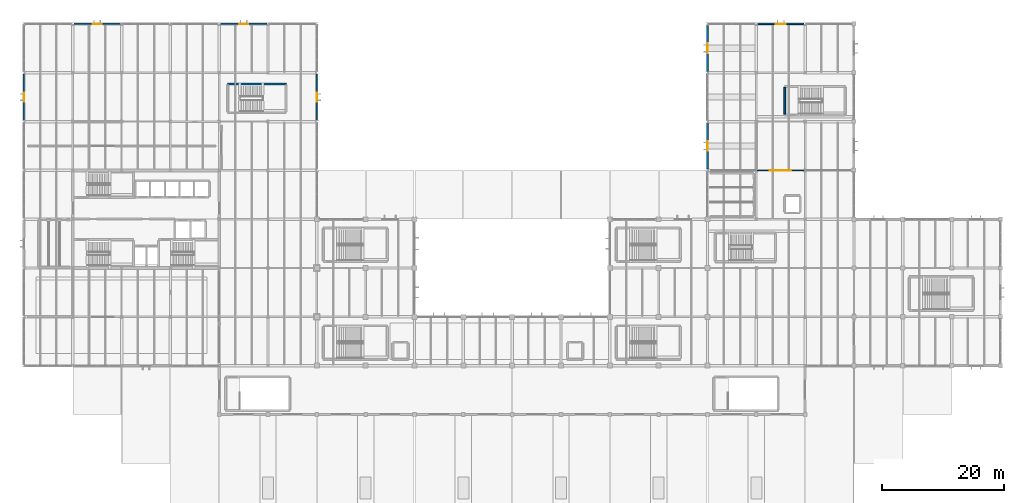
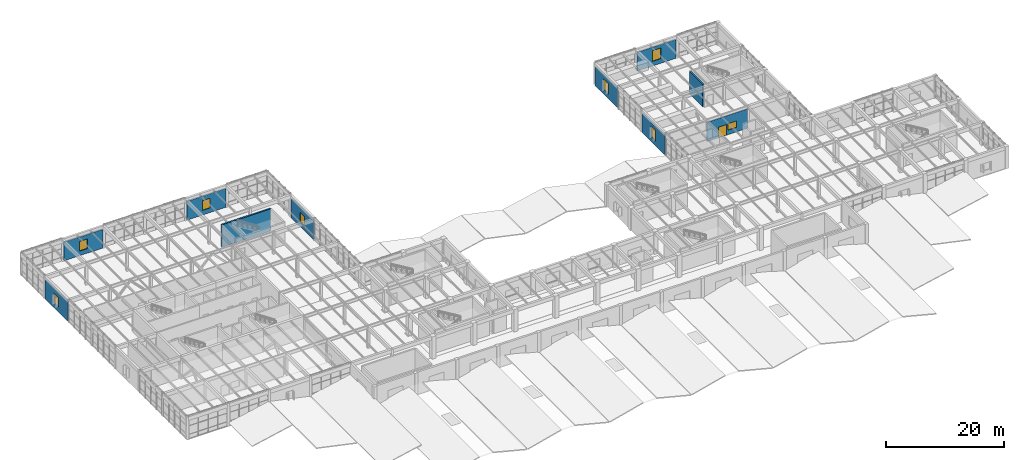
# One storey, part 46 of 60: 10 walls, 8 windows, 1 door, 9 openings.
"""IFC4 building model written with IfcOpenShell, lengths in metres."""

from ifc_helpers import new_model, si_unit, direction, frame, frame_2d, origin, place, context, subcontext, project, spatial, rectangle, extrude, material, layer, layer_set, type_object, element, fill, save


model = new_model("IFC4")

# Units and contexts
model_context = context("Model", 3, precision=1e-05, world=origin(), true_north=direction((0.0, 1.0)))
body_context = subcontext(model_context, "Body", "Model", "MODEL_VIEW")
ifc_project = project(units=[si_unit("LENGTHUNIT", "METRE"), si_unit("AREAUNIT", "SQUARE_METRE"), si_unit("VOLUMEUNIT", "CUBIC_METRE"), si_unit("PLANEANGLEUNIT", "RADIAN"), si_unit("MASSUNIT", "GRAM", prefix="KILO")], contexts=[model_context])

# Site, building, storey
site_placement = place(None, origin())
site = spatial("IfcSite", under=ifc_project, at=site_placement, CompositionType="ELEMENT")
building_placement = place(site_placement, origin())
building = spatial("IfcBuilding", under=site, at=building_placement, Name="Varnela Railside Interchange", CompositionType="ELEMENT")
storey_placement = place(building_placement, frame((0.0, 0.0, 6.300048828125)))
storey = spatial("IfcBuildingStorey", under=building, at=storey_placement, Name="L01", CompositionType="ELEMENT", Elevation=6.300048828125)

# Wall, openings, door, window
ifc_material_1 = material(Name="Glass laminated double", Category="glass")
ifc_layer_1 = layer(ifc_material_1, 0.1201171875)
ifc_layer_set_1 = layer_set([ifc_layer_1], Name="Glass laminated double")
wall_type_1 = type_object("IfcWallType", Name="Glazed Operations Partition IW-03", PredefinedType="PARTITIONING", material=ifc_layer_set_1)
wall_1_placement = place(storey_placement, frame((124.0, 70.0, 0.0), z_axis=(0.0, 0.0, 1.0), x_axis=(1.0, 0.0, 0.0)))
wall_1 = element("IfcWall", 1, at=wall_1_placement, inside=storey, type_object=wall_type_1, Name="Glazed Operations Partition IW-03 (L01) (WL-0561)", PredefinedType="PARTITIONING", context=body_context, shape_type="SweptSolid", body=[
    extrude(rectangle(XDim=8.0, YDim=0.1201171875, at=frame_2d((4.0, 0.0))), origin(), (0.0, 0.0, 1.0), 3.988037109375),
])
opening_1_placement = place(wall_1_placement, frame((2.199951171875, 0.0, 0.0)))
opening_1 = element("IfcOpeningElement", 2, at=opening_1_placement, cuts=wall_1, Name="Opening D-203", PredefinedType="OPENING", context=body_context, shape_type="SweptSolid", body=[
    extrude(rectangle(XDim=1.60009765625, YDim=2.199951171875, at=frame_2d((0.800048828125, 1.10009765625))), frame((0.0, 0.070068359375, 0.0), z_axis=(0.0, -1.0, 0.0), x_axis=(1.0, 0.0, 0.0)), (0.0, 0.0, 1.0), 0.14013671875),
])
opening_2_placement = place(wall_1_placement, frame((4.14990234375, 0.0, 0.949951171875)))
opening_2 = element("IfcOpeningElement", 3, at=opening_2_placement, cuts=wall_1, Name="Opening IW-006", PredefinedType="OPENING", context=body_context, shape_type="SweptSolid", body=[
    extrude(rectangle(XDim=1.60009765625, YDim=1.300048828125, at=frame_2d((0.800048828125, 0.64990234375))), frame((0.0, 0.070068359375, 0.0), z_axis=(0.0, -1.0, 0.0), x_axis=(1.0, 0.0, 0.0)), (0.0, 0.0, 1.0), 0.14013671875),
])
door_type = type_object("IfcDoorType", Name="DR-DBL-1600", OperationType="DOUBLE_DOOR_SINGLE_SWING", PredefinedType="DOOR", material=ifc_material_1)
door_placement = place(opening_1_placement, origin())
door = element("IfcDoor", 4, at=door_placement, inside=storey, type_object=door_type, Name="Door D-203", OperationType="DOUBLE_DOOR_SINGLE_SWING", OverallHeight=2.199951171875, OverallWidth=1.60009765625, PredefinedType="DOOR", context=body_context, shape_type="SweptSolid", body=[
    extrude(rectangle(XDim=1.60009765625, YDim=2.199951171875, at=frame_2d((0.800048828125, 1.10009765625))), frame((0.0, 0.02490234375, 0.0), z_axis=(0.0, -1.0, 0.0), x_axis=(1.0, 0.0, 0.0)), (0.0, 0.0, 1.0), 0.050048828125),
])
fill(opening_1, door)
window_type_1 = type_object("IfcWindowType", Name="Interior Acoustic Vision Window IW-WN1", PartitioningType="SINGLE_PANEL", PredefinedType="WINDOW", material=ifc_material_1)
window_1_placement = place(opening_2_placement, origin())
window_1 = element("IfcWindow", 5, at=window_1_placement, inside=storey, type_object=window_type_1, Name="Window IW-006", OverallHeight=1.300048828125, OverallWidth=1.60009765625, PartitioningType="SINGLE_PANEL", PredefinedType="WINDOW", context=body_context, shape_type="SweptSolid", body=[
    extrude(rectangle(XDim=1.60009765625, YDim=1.300048828125, at=frame_2d((0.800048828125, 0.64990234375))), frame((0.0, 0.030029296875, 0.0), z_axis=(0.0, -1.0, 0.0), x_axis=(1.0, 0.0, 0.0)), (0.0, 0.0, 1.0), 0.06005859375),
])
fill(opening_2, window_1)

# Wall, opening, window
ifc_material_2 = material(Name="Concrete C40 precast", Category="concrete")
ifc_layer_2 = layer(ifc_material_2, 0.280029296875)
ifc_layer_set_2 = layer_set([ifc_layer_2], Name="Concrete C40 precast")
wall_type_2 = type_object("IfcWallType", Name="Ribbed Precast Concrete Facade Wall EW-02", PredefinedType="STANDARD", material=ifc_layer_set_2)
wall_2_placement = place(storey_placement, frame((4.0, 78.193603515625, 0.0), z_axis=(0.0, 0.0, 1.0), x_axis=(0.0, 1.0, 0.0)))
wall_2 = element("IfcWall", 6, at=wall_2_placement, inside=storey, type_object=wall_type_2, Name="Ribbed Precast Concrete Facade Wall EW-02 (L01) (WL-0544)", PredefinedType="STANDARD", context=body_context, shape_type="SweptSolid", body=[
    extrude(rectangle(XDim=7.61279296875, YDim=0.280029296875, at=frame_2d((3.806396484375, 0.0))), origin(), (0.0, 0.0, 1.0), 3.849853515625),
])
opening_3_placement = place(wall_2_placement, frame((3.056396484375, 0.0, 0.949951171875)))
opening_3 = element("IfcOpeningElement", 7, at=opening_3_placement, cuts=wall_2, Name="Opening W-023", PredefinedType="OPENING", context=body_context, shape_type="SweptSolid", body=[
    extrude(rectangle(XDim=1.5, YDim=2.0, at=frame_2d((0.75, 1.0))), frame((0.0, 0.14990234375, 0.0), z_axis=(0.0, -1.0, 0.0), x_axis=(1.0, 0.0, 0.0)), (0.0, 0.0, 1.0), 0.300048828125),
])
window_type_2 = type_object("IfcWindowType", Name="Operations Modular Window WN-04", PartitioningType="SINGLE_PANEL", PredefinedType="WINDOW", material=ifc_material_1)
window_2_placement = place(opening_3_placement, origin())
window_2 = element("IfcWindow", 8, at=window_2_placement, inside=storey, type_object=window_type_2, Name="Window W-023", OverallHeight=2.0, OverallWidth=1.5, PartitioningType="SINGLE_PANEL", PredefinedType="WINDOW", context=body_context, shape_type="SweptSolid", body=[
    extrude(rectangle(XDim=1.5, YDim=2.0, at=frame_2d((0.75, 1.0))), frame((0.0, 0.030029296875, 0.0), z_axis=(0.0, -1.0, 0.0), x_axis=(1.0, 0.0, 0.0)), (0.0, 0.0, 1.0), 0.06005859375),
])
fill(opening_3, window_2)

wall_3_placement = place(storey_placement, frame((12.198974609375, 94.0, 0.0), z_axis=(0.0, 0.0, 1.0), x_axis=(1.0, 0.0, 0.0)))
wall_3 = element("IfcWall", 9, at=wall_3_placement, inside=storey, type_object=wall_type_2, Name="Ribbed Precast Concrete Facade Wall EW-02 (L01) (WL-0551)", PredefinedType="STANDARD", context=body_context, shape_type="SweptSolid", body=[
    extrude(rectangle(XDim=7.60205078125, YDim=0.280029296875, at=frame_2d((3.801025390625, 0.0))), origin(), (0.0, 0.0, 1.0), 3.849853515625),
])
opening_4_placement = place(wall_3_placement, frame((3.051025390625, 0.0, 0.949951171875)))
opening_4 = element("IfcOpeningElement", 10, at=opening_4_placement, cuts=wall_3, Name="Opening W-024", PredefinedType="OPENING", context=body_context, shape_type="SweptSolid", body=[
    extrude(rectangle(XDim=1.5, YDim=2.0, at=frame_2d((0.75, 1.0))), frame((0.0, 0.14990234375, 0.0), z_axis=(0.0, -1.0, 0.0), x_axis=(1.0, 0.0, 0.0)), (0.0, 0.0, 1.0), 0.300048828125),
])
window_3_placement = place(opening_4_placement, origin())
window_3 = element("IfcWindow", 11, at=window_3_placement, inside=storey, type_object=window_type_2, Name="Window W-024", OverallHeight=2.0, OverallWidth=1.5, PartitioningType="SINGLE_PANEL", PredefinedType="WINDOW", context=body_context, shape_type="SweptSolid", body=[
    extrude(rectangle(XDim=1.5, YDim=2.0, at=frame_2d((0.75, 1.0))), frame((0.0, 0.030029296875, 0.0), z_axis=(0.0, -1.0, 0.0), x_axis=(1.0, 0.0, 0.0)), (0.0, 0.0, 1.0), 0.06005859375),
])
fill(opening_4, window_3)

wall_4_placement = place(storey_placement, frame((36.198974609375, 94.0, 0.0), z_axis=(0.0, 0.0, 1.0), x_axis=(1.0, 0.0, 0.0)))
wall_4 = element("IfcWall", 12, at=wall_4_placement, inside=storey, type_object=wall_type_2, Name="Ribbed Precast Concrete Facade Wall EW-02 (L01) (WL-0512)", PredefinedType="STANDARD", context=body_context, shape_type="SweptSolid", body=[
    extrude(rectangle(XDim=7.60205078125, YDim=0.280029296875, at=frame_2d((3.801025390625, 0.0))), origin(), (0.0, 0.0, 1.0), 3.849853515625),
])
opening_5_placement = place(wall_4_placement, frame((3.051025390625, 0.0, 0.949951171875)))
opening_5 = element("IfcOpeningElement", 13, at=opening_5_placement, cuts=wall_4, Name="Opening W-025", PredefinedType="OPENING", context=body_context, shape_type="SweptSolid", body=[
    extrude(rectangle(XDim=1.5, YDim=2.0, at=frame_2d((0.75, 1.0))), frame((0.0, 0.14990234375, 0.0), z_axis=(0.0, -1.0, 0.0), x_axis=(1.0, 0.0, 0.0)), (0.0, 0.0, 1.0), 0.300048828125),
])
window_4_placement = place(opening_5_placement, origin())
window_4 = element("IfcWindow", 14, at=window_4_placement, inside=storey, type_object=window_type_2, Name="Window W-025", OverallHeight=2.0, OverallWidth=1.5, PartitioningType="SINGLE_PANEL", PredefinedType="WINDOW", context=body_context, shape_type="SweptSolid", body=[
    extrude(rectangle(XDim=1.5, YDim=2.0, at=frame_2d((0.75, 1.0))), frame((0.0, 0.030029296875, 0.0), z_axis=(0.0, -1.0, 0.0), x_axis=(1.0, 0.0, 0.0)), (0.0, 0.0, 1.0), 0.06005859375),
])
fill(opening_5, window_4)

wall_5_placement = place(storey_placement, frame((52.0, 85.806396484375, 0.0), z_axis=(0.0, 0.0, 1.0), x_axis=(0.0, -1.0, 0.0)))
wall_5 = element("IfcWall", 15, at=wall_5_placement, inside=storey, type_object=wall_type_2, Name="Ribbed Precast Concrete Facade Wall EW-02 (L01) (WL-0513)", PredefinedType="STANDARD", context=body_context, shape_type="SweptSolid", body=[
    extrude(rectangle(XDim=7.61279296875, YDim=0.280029296875, at=frame_2d((3.806396484375, 0.0))), origin(), (0.0, 0.0, 1.0), 3.849853515625),
])
opening_6_placement = place(wall_5_placement, frame((3.056396484375, 0.0, 0.949951171875)))
opening_6 = element("IfcOpeningElement", 16, at=opening_6_placement, cuts=wall_5, Name="Opening W-026", PredefinedType="OPENING", context=body_context, shape_type="SweptSolid", body=[
    extrude(rectangle(XDim=1.5, YDim=2.0, at=frame_2d((0.75, 1.0))), frame((0.0, 0.14990234375, 0.0), z_axis=(0.0, -1.0, 0.0), x_axis=(1.0, 0.0, 0.0)), (0.0, 0.0, 1.0), 0.300048828125),
])
window_5_placement = place(opening_6_placement, origin())
window_5 = element("IfcWindow", 17, at=window_5_placement, inside=storey, type_object=window_type_2, Name="Window W-026", OverallHeight=2.0, OverallWidth=1.5, PartitioningType="SINGLE_PANEL", PredefinedType="WINDOW", context=body_context, shape_type="SweptSolid", body=[
    extrude(rectangle(XDim=1.5, YDim=2.0, at=frame_2d((0.75, 1.0))), frame((0.0, 0.030029296875, 0.0), z_axis=(0.0, -1.0, 0.0), x_axis=(1.0, 0.0, 0.0)), (0.0, 0.0, 1.0), 0.06005859375),
])
fill(opening_6, window_5)

# Walls
ifc_material_3 = material(Name="Concrete C50", Category="concrete")
ifc_layer_3 = layer(ifc_material_3, 0.300048828125)
ifc_layer_set_3 = layer_set([ifc_layer_3], Name="Concrete C50")
wall_type_3 = type_object("IfcWallType", Name="Stair & Lift Shaft Wall SW-03", PredefinedType="SHEAR", material=ifc_layer_set_3)
wall_6_placement = place(storey_placement, frame((128.64990234375, 79.199951171875, 0.0), z_axis=(0.0, 0.0, 1.0), x_axis=(0.0, 1.0, 0.0)))
element("IfcWall", 18, at=wall_6_placement, inside=storey, type_object=wall_type_3, Name="Stair & Lift Shaft Wall SW-03 (L01) (WL-0608)", PredefinedType="SHEAR", context=body_context, shape_type="SweptSolid", body=[
    extrude(rectangle(XDim=4.400146484375, YDim=0.300048828125, at=frame_2d((2.2001953125, 0.0))), origin(), (0.0, 0.0, 1.0), 4.599853515625),
])
wall_7_placement = place(storey_placement, frame((37.39990234375, 84.14990234375, 0.0), z_axis=(0.0, 0.0, 1.0), x_axis=(1.0, 0.0, 0.0)))
element("IfcWall", 19, at=wall_7_placement, inside=storey, type_object=wall_type_3, Name="Stair & Lift Shaft Wall SW-03 (L01) (WL-0622)", PredefinedType="SHEAR", context=body_context, shape_type="SweptSolid", body=[
    extrude(rectangle(XDim=9.550048828125, YDim=0.300048828125, at=frame_2d((4.77490234375, 0.0))), origin(), (0.0, 0.0, 1.0), 4.599853515625),
])

# Wall, opening, window
ifc_layer_4 = layer(ifc_material_2, 0.260009765625)
ifc_layer_set_4 = layer_set([ifc_layer_4], Name="Concrete C40 precast")
wall_type_4 = type_object("IfcWallType", Name="Terracotta Precast Study Facade Wall EW-03", PredefinedType="STANDARD", material=ifc_layer_set_4)
wall_8_placement = place(storey_placement, frame((116.0, 70.193603515625, 0.0), z_axis=(0.0, 0.0, 1.0), x_axis=(0.0, 1.0, 0.0)))
wall_8 = element("IfcWall", 20, at=wall_8_placement, inside=storey, type_object=wall_type_4, Name="Terracotta Precast Study Facade Wall EW-03 (L01) (WL-0525)", PredefinedType="STANDARD", context=body_context, shape_type="SweptSolid", body=[
    extrude(rectangle(XDim=7.61279296875, YDim=0.260009765625, at=frame_2d((3.806396484375, 0.0))), origin(), (0.0, 0.0, 1.0), 3.849853515625),
])
opening_7_placement = place(wall_8_placement, frame((3.006591796875, 0.0, 0.949951171875)))
opening_7 = element("IfcOpeningElement", 21, at=opening_7_placement, cuts=wall_8, Name="Opening W-036", PredefinedType="OPENING", context=body_context, shape_type="SweptSolid", body=[
    extrude(rectangle(XDim=1.60009765625, YDim=2.199951171875, at=frame_2d((0.800048828125, 1.10009765625))), frame((0.0, 0.139892578125, 0.0), z_axis=(0.0, -1.0, 0.0), x_axis=(1.0, 0.0, 0.0)), (0.0, 0.0, 1.0), 0.280029296875),
])
window_type_3 = type_object("IfcWindowType", Name="Study Pavilion Tall Window WN-03", PartitioningType="SINGLE_PANEL", PredefinedType="WINDOW", material=ifc_material_1)
window_6_placement = place(opening_7_placement, origin())
window_6 = element("IfcWindow", 22, at=window_6_placement, inside=storey, type_object=window_type_3, Name="Window W-036", OverallHeight=2.199951171875, OverallWidth=1.60009765625, PartitioningType="SINGLE_PANEL", PredefinedType="WINDOW", context=body_context, shape_type="SweptSolid", body=[
    extrude(rectangle(XDim=1.60009765625, YDim=2.199951171875, at=frame_2d((0.800048828125, 1.10009765625))), frame((0.0, 0.030029296875, 0.0), z_axis=(0.0, -1.0, 0.0), x_axis=(1.0, 0.0, 0.0)), (0.0, 0.0, 1.0), 0.06005859375),
])
fill(opening_7, window_6)

wall_9_placement = place(storey_placement, frame((116.0, 86.193603515625, 0.0), z_axis=(0.0, 0.0, 1.0), x_axis=(0.0, 1.0, 0.0)))
wall_9 = element("IfcWall", 23, at=wall_9_placement, inside=storey, type_object=wall_type_4, Name="Terracotta Precast Study Facade Wall EW-03 (L01) (WL-0526)", PredefinedType="STANDARD", context=body_context, shape_type="SweptSolid", body=[
    extrude(rectangle(XDim=7.61279296875, YDim=0.260009765625, at=frame_2d((3.806396484375, 0.0))), origin(), (0.0, 0.0, 1.0), 3.849853515625),
])
opening_8_placement = place(wall_9_placement, frame((3.006591796875, 0.0, 0.949951171875)))
opening_8 = element("IfcOpeningElement", 24, at=opening_8_placement, cuts=wall_9, Name="Opening W-037", PredefinedType="OPENING", context=body_context, shape_type="SweptSolid", body=[
    extrude(rectangle(XDim=1.60009765625, YDim=2.199951171875, at=frame_2d((0.800048828125, 1.10009765625))), frame((0.0, 0.139892578125, 0.0), z_axis=(0.0, -1.0, 0.0), x_axis=(1.0, 0.0, 0.0)), (0.0, 0.0, 1.0), 0.280029296875),
])
window_7_placement = place(opening_8_placement, origin())
window_7 = element("IfcWindow", 25, at=window_7_placement, inside=storey, type_object=window_type_3, Name="Window W-037", OverallHeight=2.199951171875, OverallWidth=1.60009765625, PartitioningType="SINGLE_PANEL", PredefinedType="WINDOW", context=body_context, shape_type="SweptSolid", body=[
    extrude(rectangle(XDim=1.60009765625, YDim=2.199951171875, at=frame_2d((0.800048828125, 1.10009765625))), frame((0.0, 0.030029296875, 0.0), z_axis=(0.0, -1.0, 0.0), x_axis=(1.0, 0.0, 0.0)), (0.0, 0.0, 1.0), 0.06005859375),
])
fill(opening_8, window_7)

wall_10_placement = place(storey_placement, frame((124.198974609375, 94.0, 0.0), z_axis=(0.0, 0.0, 1.0), x_axis=(1.0, 0.0, 0.0)))
wall_10 = element("IfcWall", 26, at=wall_10_placement, inside=storey, type_object=wall_type_4, Name="Terracotta Precast Study Facade Wall EW-03 (L01) (WL-0527)", PredefinedType="STANDARD", context=body_context, shape_type="SweptSolid", body=[
    extrude(rectangle(XDim=7.60205078125, YDim=0.260009765625, at=frame_2d((3.801025390625, 0.0))), origin(), (0.0, 0.0, 1.0), 3.849853515625),
])
opening_9_placement = place(wall_10_placement, frame((3.0009765625, 0.0, 0.949951171875)))
opening_9 = element("IfcOpeningElement", 27, at=opening_9_placement, cuts=wall_10, Name="Opening W-038", PredefinedType="OPENING", context=body_context, shape_type="SweptSolid", body=[
    extrude(rectangle(XDim=1.60009765625, YDim=2.199951171875, at=frame_2d((0.800048828125, 1.10009765625))), frame((0.0, 0.139892578125, 0.0), z_axis=(0.0, -1.0, 0.0), x_axis=(1.0, 0.0, 0.0)), (0.0, 0.0, 1.0), 0.280029296875),
])
window_8_placement = place(opening_9_placement, origin())
window_8 = element("IfcWindow", 28, at=window_8_placement, inside=storey, type_object=window_type_3, Name="Window W-038", OverallHeight=2.199951171875, OverallWidth=1.60009765625, PartitioningType="SINGLE_PANEL", PredefinedType="WINDOW", context=body_context, shape_type="SweptSolid", body=[
    extrude(rectangle(XDim=1.60009765625, YDim=2.199951171875, at=frame_2d((0.800048828125, 1.10009765625))), frame((0.0, 0.030029296875, 0.0), z_axis=(0.0, -1.0, 0.0), x_axis=(1.0, 0.0, 0.0)), (0.0, 0.0, 1.0), 0.06005859375),
])
fill(opening_9, window_8)

save(model, "model.ifc")
